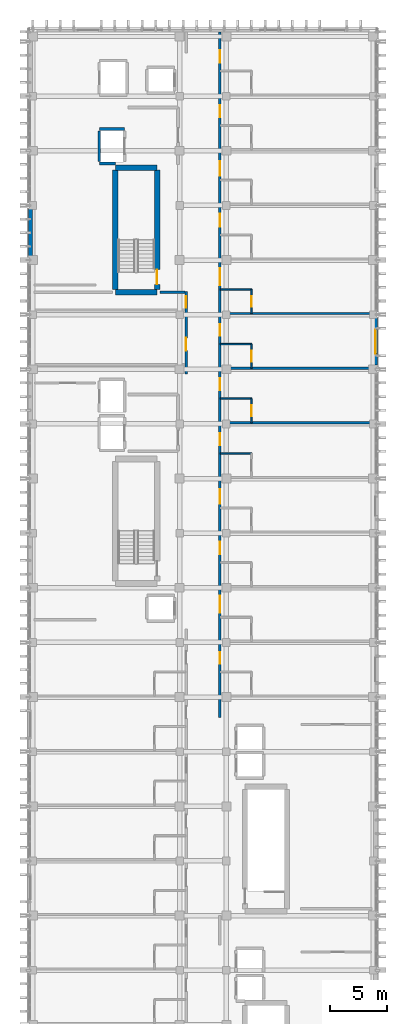
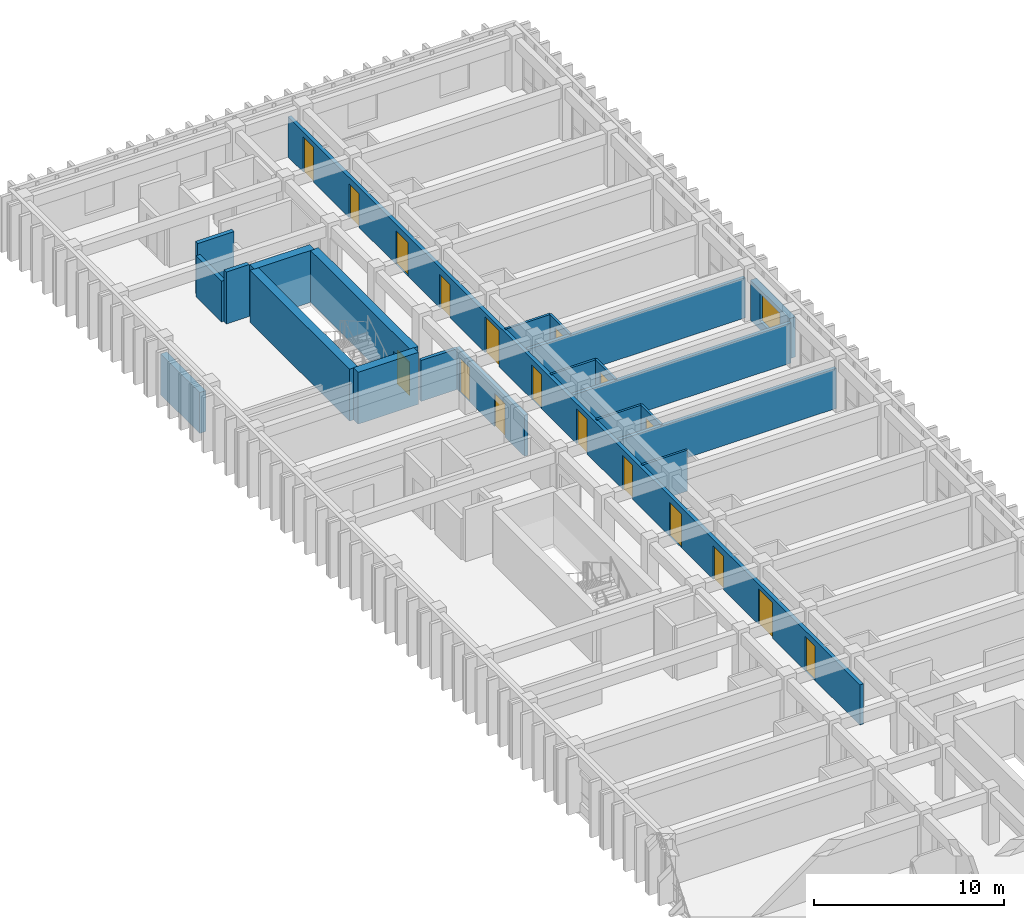
# One storey, part 58 of 68: 22 walls, 18 doors, 1 window, 19 openings.
"""IFC4 building model written with IfcOpenShell, lengths in metres."""

from ifc_helpers import new_model, si_unit, direction, frame, frame_2d, origin, place, context, subcontext, project, spatial, rectangle, extrude, material, layer, layer_set, type_object, element, fill, save


model = new_model("IFC4")

# Units and contexts
model_context = context("Model", 3, precision=1e-05, world=origin(), true_north=direction((0.0, 1.0)))
body_context = subcontext(model_context, "Body", "Model", "MODEL_VIEW")
ifc_project = project(units=[si_unit("LENGTHUNIT", "METRE"), si_unit("AREAUNIT", "SQUARE_METRE"), si_unit("VOLUMEUNIT", "CUBIC_METRE"), si_unit("PLANEANGLEUNIT", "RADIAN"), si_unit("MASSUNIT", "GRAM", prefix="KILO")], contexts=[model_context])

# Site, building, storey
site_placement = place(None, origin())
site = spatial("IfcSite", under=ifc_project, at=site_placement, CompositionType="ELEMENT")
building_placement = place(site_placement, origin())
building = spatial("IfcBuilding", under=site, at=building_placement, Name="Nakhvara Creek Congress Hotel", CompositionType="ELEMENT")
storey_placement = place(building_placement, frame((0.0, 0.0, 24.60009765625)))
storey = spatial("IfcBuildingStorey", under=building, at=storey_placement, Name="L05", CompositionType="ELEMENT", Elevation=24.60009765625)

# Walls
ifc_material_1 = material(Name="Concrete C50/60", Category="concrete")
ifc_layer_1 = layer(ifc_material_1, 0.5)
ifc_layer_set_1 = layer_set([ifc_layer_1], Name="Concrete C50/60")
wall_type_1 = type_object("IfcWallType", Name="W-CORE-500", PredefinedType="SHEAR", material=ifc_layer_set_1)
for number, where, z_axis, x_axis, name in (
    (1, (156.699951171875, 102.780029296875, 0.0), (0.0, 0.0, 1.0), (1.0, 0.0, 0.0), "Core Shear Wall WS01-CWALL-L05-0394"),
    (2, (156.699951171875, 113.719970703125, 0.0), (0.0, 0.0, 1.0), (1.0, 0.0, 0.0), "Core Shear Wall WS01-CWALL-L05-0395"),
):
    element("IfcWall", number, at=place(storey_placement, frame(where, z_axis=z_axis, x_axis=x_axis)), inside=storey, type_object=wall_type_1, Name=name, PredefinedType="SHEAR", context=body_context, shape_type="SweptSolid", body=[
        extrude(rectangle(XDim=3.670166015625, YDim=0.5, at=frame_2d((1.8349609375, 0.0))), origin(), (0.0, 0.0, 1.0), 3.33984375),
    ])
wall_1_placement = place(storey_placement, frame((156.699951171875, 103.0, 0.0), z_axis=(0.0, 0.0, 1.0), x_axis=(0.0, 1.0, 0.0)))
element("IfcWall", 3, at=wall_1_placement, inside=storey, type_object=wall_type_1, Name="Core Shear Wall WS01-CWALL-L05-0396", PredefinedType="SHEAR", context=body_context, shape_type="SweptSolid", body=[
    extrude(rectangle(XDim=10.5, YDim=0.5, at=frame_2d((5.25, 0.0))), origin(), (0.0, 0.0, 1.0), 3.33984375),
])

# Wall, opening, door
wall_2_placement = place(storey_placement, frame((160.3701171875, 103.0, 0.0), z_axis=(0.0, 0.0, 1.0), x_axis=(0.0, 1.0, 0.0)))
wall_2 = element("IfcWall", 4, at=wall_2_placement, inside=storey, type_object=wall_type_1, Name="Core Shear Wall WS01-CWALL-L05-0397", PredefinedType="SHEAR", context=body_context, shape_type="SweptSolid", body=[
    extrude(rectangle(XDim=10.5, YDim=0.5, at=frame_2d((5.25, 0.0))), origin(), (0.0, 0.0, 1.0), 3.33984375),
])
opening_1_placement = place(wall_2_placement, frame((0.449951171875, 0.0, 0.0)))
opening_1 = element("IfcOpeningElement", 5, at=opening_1_placement, cuts=wall_2, Name="Opening FD04", PredefinedType="OPENING", context=body_context, shape_type="SweptSolid", body=[
    extrude(rectangle(XDim=1.300048828125, YDim=2.14990234375, at=frame_2d((0.64990234375, 1.074951171875))), frame((0.0, 0.261962890625, 0.0), z_axis=(0.0, -1.0, 0.0), x_axis=(1.0, 0.0, 0.0)), (0.0, 0.0, 1.0), 0.52392578125),
])
ifc_material_2 = material(Name="Powder-coated steel fire door", Category="steel")
door_type_1 = type_object("IfcDoorType", Name="DT-STAIR-130", OperationType="NOTDEFINED", PredefinedType="DOOR", material=ifc_material_2)
door_1_placement = place(opening_1_placement, frame((1.300048828125, 0.0, 0.0), z_axis=(0.0, 0.0, 1.0), x_axis=(-1.0, 0.0, 0.0)))
door_1 = element("IfcDoor", 6, at=door_1_placement, inside=storey, type_object=door_type_1, Name="Stair Exit Door ST02-L05", OperationType="SINGLE_SWING_LEFT", OverallHeight=2.14990234375, OverallWidth=1.300048828125, PredefinedType="DOOR", context=body_context, shape_type="SweptSolid", body=[
    extrude(rectangle(XDim=1.300048828125, YDim=2.14990234375, at=frame_2d((0.64990234375, 1.074951171875))), frame((0.0, 0.02490234375, 0.0), z_axis=(0.0, -1.0, 0.0), x_axis=(1.0, 0.0, 0.0)), (0.0, 0.0, 1.0), 0.050048828125),
])
fill(opening_1, door_1)

# Wall, openings, doors
ifc_material_3 = material(Name="Gypsum acoustic board on steel stud", Category="steel")
ifc_layer_2 = layer(ifc_material_3, 0.219970703125)
ifc_layer_set_2 = layer_set([ifc_layer_2], Name="Gypsum acoustic board on steel stud")
wall_type_2 = type_object("IfcWallType", Name="W-CORR-220", PredefinedType="PARTITIONING", material=ifc_layer_set_2)
wall_3_placement = place(storey_placement, frame((162.919921875, 95.60009765625, 0.0), z_axis=(0.0, 0.0, 1.0), x_axis=(0.0, 1.0, 0.0)))
wall_3 = element("IfcWall", 7, at=wall_3_placement, inside=storey, type_object=wall_type_2, Name="Interior Wall WP11-IW-L05-0368", PredefinedType="PARTITIONING", context=body_context, shape_type="SweptSolid", body=[
    extrude(rectangle(XDim=7.219970703125, YDim=0.219970703125, at=frame_2d((3.60986328125, 0.0))), origin(), (0.0, 0.0, 1.0), 2.6318359375),
])
opening_2_placement = place(wall_3_placement, frame((2.050048828125, 0.0, 0.0)))
opening_2 = element("IfcOpeningElement", 8, at=opening_2_placement, cuts=wall_3, Name="Opening BD01", PredefinedType="OPENING", context=body_context, shape_type="SweptSolid", body=[
    extrude(rectangle(XDim=1.1201171875, YDim=2.14990234375, at=frame_2d((0.56005859375, 1.074951171875))), frame((0.0, 0.1220703125, 0.0), z_axis=(0.0, -1.0, 0.0), x_axis=(1.0, 0.0, 0.0)), (0.0, 0.0, 1.0), 0.243896484375),
])
opening_3_placement = place(wall_3_placement, frame((5.800048828125, 0.0, 0.0)))
opening_3 = element("IfcOpeningElement", 9, at=opening_3_placement, cuts=wall_3, Name="Opening GD01", PredefinedType="OPENING", context=body_context, shape_type="SweptSolid", body=[
    extrude(rectangle(XDim=1.02001953125, YDim=2.199951171875, at=frame_2d((0.510009765625, 1.10009765625))), frame((0.0, 0.1220703125, 0.0), z_axis=(0.0, -1.0, 0.0), x_axis=(1.0, 0.0, 0.0)), (0.0, 0.0, 1.0), 0.243896484375),
])
ifc_material_4 = material(Name="Walnut hardwood timber fire door", Category="wood")
door_type_2 = type_object("IfcDoorType", Name="DT-GUEST-102", OperationType="NOTDEFINED", PredefinedType="DOOR", material=ifc_material_4)
door_2_placement = place(opening_3_placement, frame((1.02001953125, 0.0, 0.0), z_axis=(0.0, 0.0, 1.0), x_axis=(-1.0, 0.0, 0.0)))
door_2 = element("IfcDoor", 10, at=door_2_placement, inside=storey, type_object=door_type_2, Name="Interior Door GD01-0304", OperationType="SINGLE_SWING_LEFT", OverallHeight=2.199951171875, OverallWidth=1.02001953125, PredefinedType="DOOR", context=body_context, shape_type="SweptSolid", body=[
    extrude(rectangle(XDim=1.02001953125, YDim=2.199951171875, at=frame_2d((0.510009765625, 1.10009765625))), frame((0.0, 0.02490234375, 0.0), z_axis=(0.0, -1.0, 0.0), x_axis=(1.0, 0.0, 0.0)), (0.0, 0.0, 1.0), 0.050048828125),
])
fill(opening_3, door_2)
ifc_material_5 = material(Name="Hardwood-faced service fire door", Category="wood")
door_type_3 = type_object("IfcDoorType", Name="DT-HK-112", OperationType="NOTDEFINED", PredefinedType="DOOR", material=ifc_material_5)
door_3_placement = place(opening_2_placement, frame((1.1201171875, 0.0, 0.0), z_axis=(0.0, 0.0, 1.0), x_axis=(-1.0, 0.0, 0.0)))
door_3 = element("IfcDoor", 11, at=door_3_placement, inside=storey, type_object=door_type_3, Name="Interior Door BD01-0303", OperationType="SINGLE_SWING_RIGHT", OverallHeight=2.14990234375, OverallWidth=1.1201171875, PredefinedType="DOOR", context=body_context, shape_type="SweptSolid", body=[
    extrude(rectangle(XDim=1.1201171875, YDim=2.14990234375, at=frame_2d((0.56005859375, 1.074951171875))), frame((0.0, 0.02490234375, 0.0), z_axis=(0.0, -1.0, 0.0), x_axis=(1.0, 0.0, 0.0)), (0.0, 0.0, 1.0), 0.050048828125),
])
fill(opening_2, door_3)

wall_4_placement = place(storey_placement, frame((165.8798828125, 65.39990234375, 0.0), z_axis=(0.0, 0.0, 1.0), x_axis=(0.0, 1.0, 0.0)))
wall_4 = element("IfcWall", 12, at=wall_4_placement, inside=storey, type_object=wall_type_2, Name="Interior Wall WP11-IW-L05-0371", PredefinedType="PARTITIONING", context=body_context, shape_type="SweptSolid", body=[
    extrude(rectangle(XDim=60.25, YDim=0.219970703125, at=frame_2d((30.125, 0.0))), origin(), (0.0, 0.0, 1.0), 2.581787109375),
])
opening_4_placement = place(wall_4_placement, frame((4.738037109375, 0.0, 0.0)))
opening_4 = element("IfcOpeningElement", 13, at=opening_4_placement, cuts=wall_4, Name="Opening GD01", PredefinedType="OPENING", context=body_context, shape_type="SweptSolid", body=[
    extrude(rectangle(XDim=1.02001953125, YDim=2.199951171875, at=frame_2d((0.510009765625, 1.10009765625))), frame((0.0, 0.1220703125, 0.0), z_axis=(0.0, -1.0, 0.0), x_axis=(1.0, 0.0, 0.0)), (0.0, 0.0, 1.0), 0.243896484375),
])
opening_5_placement = place(wall_4_placement, frame((9.18798828125, 0.0, 0.0)))
opening_5 = element("IfcOpeningElement", 14, at=opening_5_placement, cuts=wall_4, Name="Opening GD03", PredefinedType="OPENING", context=body_context, shape_type="SweptSolid", body=[
    extrude(rectangle(XDim=1.5, YDim=2.300048828125, at=frame_2d((0.75, 1.14990234375))), frame((0.0, 0.1220703125, 0.0), z_axis=(0.0, -1.0, 0.0), x_axis=(1.0, 0.0, 0.0)), (0.0, 0.0, 1.0), 0.243896484375),
])
opening_6_placement = place(wall_4_placement, frame((14.337890625, 0.0, 0.0)))
opening_6 = element("IfcOpeningElement", 15, at=opening_6_placement, cuts=wall_4, Name="Opening BD01", PredefinedType="OPENING", context=body_context, shape_type="SweptSolid", body=[
    extrude(rectangle(XDim=1.1201171875, YDim=2.14990234375, at=frame_2d((0.56005859375, 1.074951171875))), frame((0.0, 0.1220703125, 0.0), z_axis=(0.0, -1.0, 0.0), x_axis=(1.0, 0.0, 0.0)), (0.0, 0.0, 1.0), 0.243896484375),
])
opening_7_placement = place(wall_4_placement, frame((18.7880859375, 0.0, 0.0)))
opening_7 = element("IfcOpeningElement", 16, at=opening_7_placement, cuts=wall_4, Name="Opening ID07", PredefinedType="OPENING", context=body_context, shape_type="SweptSolid", body=[
    extrude(rectangle(XDim=1.280029296875, YDim=2.159912109375, at=frame_2d((0.64013671875, 1.080078125))), frame((0.0, 0.1220703125, 0.0), z_axis=(0.0, -1.0, 0.0), x_axis=(1.0, 0.0, 0.0)), (0.0, 0.0, 1.0), 0.243896484375),
])
opening_8_placement = place(wall_4_placement, frame((23.93798828125, 0.0, 0.0)))
opening_8 = element("IfcOpeningElement", 17, at=opening_8_placement, cuts=wall_4, Name="Opening ID04", PredefinedType="OPENING", context=body_context, shape_type="SweptSolid", body=[
    extrude(rectangle(XDim=1.050048828125, YDim=2.179931640625, at=frame_2d((0.52490234375, 1.08984375))), frame((0.0, 0.1220703125, 0.0), z_axis=(0.0, -1.0, 0.0), x_axis=(1.0, 0.0, 0.0)), (0.0, 0.0, 1.0), 0.243896484375),
])
opening_9_placement = place(wall_4_placement, frame((28.738037109375, 0.0, 0.0)))
opening_9 = element("IfcOpeningElement", 18, at=opening_9_placement, cuts=wall_4, Name="Opening GD02", PredefinedType="OPENING", context=body_context, shape_type="SweptSolid", body=[
    extrude(rectangle(XDim=1.080078125, YDim=2.25, at=frame_2d((0.5400390625, 1.125))), frame((0.0, 0.1220703125, 0.0), z_axis=(0.0, -1.0, 0.0), x_axis=(1.0, 0.0, 0.0)), (0.0, 0.0, 1.0), 0.243896484375),
])
opening_10_placement = place(wall_4_placement, frame((33.5380859375, 0.0, 0.0)))
opening_10 = element("IfcOpeningElement", 19, at=opening_10_placement, cuts=wall_4, Name="Opening GD01", PredefinedType="OPENING", context=body_context, shape_type="SweptSolid", body=[
    extrude(rectangle(XDim=1.02001953125, YDim=2.199951171875, at=frame_2d((0.510009765625, 1.10009765625))), frame((0.0, 0.1220703125, 0.0), z_axis=(0.0, -1.0, 0.0), x_axis=(1.0, 0.0, 0.0)), (0.0, 0.0, 1.0), 0.243896484375),
])
opening_11_placement = place(wall_4_placement, frame((37.988037109375, 0.0, 0.0)))
opening_11 = element("IfcOpeningElement", 20, at=opening_11_placement, cuts=wall_4, Name="Opening GD03", PredefinedType="OPENING", context=body_context, shape_type="SweptSolid", body=[
    extrude(rectangle(XDim=1.5, YDim=2.300048828125, at=frame_2d((0.75, 1.14990234375))), frame((0.0, 0.1220703125, 0.0), z_axis=(0.0, -1.0, 0.0), x_axis=(1.0, 0.0, 0.0)), (0.0, 0.0, 1.0), 0.243896484375),
])
opening_12_placement = place(wall_4_placement, frame((43.137939453125, 0.0, 0.0)))
opening_12 = element("IfcOpeningElement", 21, at=opening_12_placement, cuts=wall_4, Name="Opening BD01", PredefinedType="OPENING", context=body_context, shape_type="SweptSolid", body=[
    extrude(rectangle(XDim=1.1201171875, YDim=2.14990234375, at=frame_2d((0.56005859375, 1.074951171875))), frame((0.0, 0.1220703125, 0.0), z_axis=(0.0, -1.0, 0.0), x_axis=(1.0, 0.0, 0.0)), (0.0, 0.0, 1.0), 0.243896484375),
])
opening_13_placement = place(wall_4_placement, frame((47.587890625, 0.0, 0.0)))
opening_13 = element("IfcOpeningElement", 22, at=opening_13_placement, cuts=wall_4, Name="Opening ID07", PredefinedType="OPENING", context=body_context, shape_type="SweptSolid", body=[
    extrude(rectangle(XDim=1.280029296875, YDim=2.159912109375, at=frame_2d((0.64013671875, 1.080078125))), frame((0.0, 0.1220703125, 0.0), z_axis=(0.0, -1.0, 0.0), x_axis=(1.0, 0.0, 0.0)), (0.0, 0.0, 1.0), 0.243896484375),
])
opening_14_placement = place(wall_4_placement, frame((52.738037109375, 0.0, 0.0)))
opening_14 = element("IfcOpeningElement", 23, at=opening_14_placement, cuts=wall_4, Name="Opening ID04", PredefinedType="OPENING", context=body_context, shape_type="SweptSolid", body=[
    extrude(rectangle(XDim=1.050048828125, YDim=2.179931640625, at=frame_2d((0.52490234375, 1.08984375))), frame((0.0, 0.1220703125, 0.0), z_axis=(0.0, -1.0, 0.0), x_axis=(1.0, 0.0, 0.0)), (0.0, 0.0, 1.0), 0.243896484375),
])
opening_15_placement = place(wall_4_placement, frame((57.5380859375, 0.0, 0.0)))
opening_15 = element("IfcOpeningElement", 24, at=opening_15_placement, cuts=wall_4, Name="Opening GD02", PredefinedType="OPENING", context=body_context, shape_type="SweptSolid", body=[
    extrude(rectangle(XDim=1.080078125, YDim=2.25, at=frame_2d((0.5400390625, 1.125))), frame((0.0, 0.1220703125, 0.0), z_axis=(0.0, -1.0, 0.0), x_axis=(1.0, 0.0, 0.0)), (0.0, 0.0, 1.0), 0.243896484375),
])
ifc_material_6 = material(Name="Brushed stainless-clad BOH door")
door_type_4 = type_object("IfcDoorType", Name="DT-BOH-128", OperationType="NOTDEFINED", PredefinedType="DOOR", material=ifc_material_6)
door_4_placement = place(opening_7_placement, origin())
door_4 = element("IfcDoor", 25, at=door_4_placement, inside=storey, type_object=door_type_4, Name="Interior Door ID07-0328", OperationType="SINGLE_SWING_LEFT", OverallHeight=2.159912109375, OverallWidth=1.280029296875, PredefinedType="DOOR", context=body_context, shape_type="SweptSolid", body=[
    extrude(rectangle(XDim=1.280029296875, YDim=2.159912109375, at=frame_2d((0.64013671875, 1.080078125))), frame((0.0, 0.02490234375, 0.0), z_axis=(0.0, -1.0, 0.0), x_axis=(1.0, 0.0, 0.0)), (0.0, 0.0, 1.0), 0.050048828125),
])
fill(opening_7, door_4)
door_5_placement = place(opening_13_placement, origin())
door_5 = element("IfcDoor", 26, at=door_5_placement, inside=storey, type_object=door_type_4, Name="Interior Door ID07-0340", OperationType="SINGLE_SWING_LEFT", OverallHeight=2.159912109375, OverallWidth=1.280029296875, PredefinedType="DOOR", context=body_context, shape_type="SweptSolid", body=[
    extrude(rectangle(XDim=1.280029296875, YDim=2.159912109375, at=frame_2d((0.64013671875, 1.080078125))), frame((0.0, 0.02490234375, 0.0), z_axis=(0.0, -1.0, 0.0), x_axis=(1.0, 0.0, 0.0)), (0.0, 0.0, 1.0), 0.050048828125),
])
fill(opening_13, door_5)
door_6_placement = place(opening_4_placement, origin())
door_6 = element("IfcDoor", 27, at=door_6_placement, inside=storey, type_object=door_type_2, Name="Interior Door GD01-0322", OperationType="SINGLE_SWING_LEFT", OverallHeight=2.199951171875, OverallWidth=1.02001953125, PredefinedType="DOOR", context=body_context, shape_type="SweptSolid", body=[
    extrude(rectangle(XDim=1.02001953125, YDim=2.199951171875, at=frame_2d((0.510009765625, 1.10009765625))), frame((0.0, 0.02490234375, 0.0), z_axis=(0.0, -1.0, 0.0), x_axis=(1.0, 0.0, 0.0)), (0.0, 0.0, 1.0), 0.050048828125),
])
fill(opening_4, door_6)
door_7_placement = place(opening_10_placement, origin())
door_7 = element("IfcDoor", 28, at=door_7_placement, inside=storey, type_object=door_type_2, Name="Interior Door GD01-0334", OperationType="SINGLE_SWING_LEFT", OverallHeight=2.199951171875, OverallWidth=1.02001953125, PredefinedType="DOOR", context=body_context, shape_type="SweptSolid", body=[
    extrude(rectangle(XDim=1.02001953125, YDim=2.199951171875, at=frame_2d((0.510009765625, 1.10009765625))), frame((0.0, 0.02490234375, 0.0), z_axis=(0.0, -1.0, 0.0), x_axis=(1.0, 0.0, 0.0)), (0.0, 0.0, 1.0), 0.050048828125),
])
fill(opening_10, door_7)
door_type_5 = type_object("IfcDoorType", Name="DT-GUEST-108", OperationType="NOTDEFINED", PredefinedType="DOOR", material=ifc_material_4)
door_8_placement = place(opening_9_placement, origin())
door_8 = element("IfcDoor", 29, at=door_8_placement, inside=storey, type_object=door_type_5, Name="Interior Door GD02-0332", OperationType="SINGLE_SWING_LEFT", OverallHeight=2.25, OverallWidth=1.080078125, PredefinedType="DOOR", context=body_context, shape_type="SweptSolid", body=[
    extrude(rectangle(XDim=1.080078125, YDim=2.25, at=frame_2d((0.5400390625, 1.125))), frame((0.0, 0.02490234375, 0.0), z_axis=(0.0, -1.0, 0.0), x_axis=(1.0, 0.0, 0.0)), (0.0, 0.0, 1.0), 0.050048828125),
])
fill(opening_9, door_8)
door_9_placement = place(opening_15_placement, origin())
door_9 = element("IfcDoor", 30, at=door_9_placement, inside=storey, type_object=door_type_5, Name="Interior Door GD02-0344", OperationType="SINGLE_SWING_LEFT", OverallHeight=2.25, OverallWidth=1.080078125, PredefinedType="DOOR", context=body_context, shape_type="SweptSolid", body=[
    extrude(rectangle(XDim=1.080078125, YDim=2.25, at=frame_2d((0.5400390625, 1.125))), frame((0.0, 0.02490234375, 0.0), z_axis=(0.0, -1.0, 0.0), x_axis=(1.0, 0.0, 0.0)), (0.0, 0.0, 1.0), 0.050048828125),
])
fill(opening_15, door_9)
door_10_placement = place(opening_6_placement, origin())
door_10 = element("IfcDoor", 31, at=door_10_placement, inside=storey, type_object=door_type_3, Name="Interior Door BD01-0326", OperationType="SINGLE_SWING_LEFT", OverallHeight=2.14990234375, OverallWidth=1.1201171875, PredefinedType="DOOR", context=body_context, shape_type="SweptSolid", body=[
    extrude(rectangle(XDim=1.1201171875, YDim=2.14990234375, at=frame_2d((0.56005859375, 1.074951171875))), frame((0.0, 0.02490234375, 0.0), z_axis=(0.0, -1.0, 0.0), x_axis=(1.0, 0.0, 0.0)), (0.0, 0.0, 1.0), 0.050048828125),
])
fill(opening_6, door_10)
door_11_placement = place(opening_12_placement, origin())
door_11 = element("IfcDoor", 32, at=door_11_placement, inside=storey, type_object=door_type_3, Name="Interior Door BD01-0338", OperationType="SINGLE_SWING_LEFT", OverallHeight=2.14990234375, OverallWidth=1.1201171875, PredefinedType="DOOR", context=body_context, shape_type="SweptSolid", body=[
    extrude(rectangle(XDim=1.1201171875, YDim=2.14990234375, at=frame_2d((0.56005859375, 1.074951171875))), frame((0.0, 0.02490234375, 0.0), z_axis=(0.0, -1.0, 0.0), x_axis=(1.0, 0.0, 0.0)), (0.0, 0.0, 1.0), 0.050048828125),
])
fill(opening_12, door_11)
ifc_material_7 = material(Name="Teak timber & frosted glass spa door", Category="wood")
door_type_6 = type_object("IfcDoorType", Name="DT-SPA-105", OperationType="NOTDEFINED", PredefinedType="DOOR", material=ifc_material_7)
door_12_placement = place(opening_8_placement, origin())
door_12 = element("IfcDoor", 33, at=door_12_placement, inside=storey, type_object=door_type_6, Name="Interior Door ID04-0330", OperationType="SINGLE_SWING_LEFT", OverallHeight=2.179931640625, OverallWidth=1.050048828125, PredefinedType="DOOR", context=body_context, shape_type="SweptSolid", body=[
    extrude(rectangle(XDim=1.050048828125, YDim=2.179931640625, at=frame_2d((0.52490234375, 1.08984375))), frame((0.0, 0.02490234375, 0.0), z_axis=(0.0, -1.0, 0.0), x_axis=(1.0, 0.0, 0.0)), (0.0, 0.0, 1.0), 0.050048828125),
])
fill(opening_8, door_12)
door_13_placement = place(opening_14_placement, origin())
door_13 = element("IfcDoor", 34, at=door_13_placement, inside=storey, type_object=door_type_6, Name="Interior Door ID04-0342", OperationType="SINGLE_SWING_LEFT", OverallHeight=2.179931640625, OverallWidth=1.050048828125, PredefinedType="DOOR", context=body_context, shape_type="SweptSolid", body=[
    extrude(rectangle(XDim=1.050048828125, YDim=2.179931640625, at=frame_2d((0.52490234375, 1.08984375))), frame((0.0, 0.02490234375, 0.0), z_axis=(0.0, -1.0, 0.0), x_axis=(1.0, 0.0, 0.0)), (0.0, 0.0, 1.0), 0.050048828125),
])
fill(opening_14, door_13)
ifc_material_8 = material(Name="Walnut hardwood double fire door", Category="wood")
door_type_7 = type_object("IfcDoorType", Name="DT-SUITE-150", OperationType="DOUBLE_DOOR_SINGLE_SWING", PredefinedType="DOOR", material=ifc_material_8)
door_14_placement = place(opening_5_placement, origin())
door_14 = element("IfcDoor", 35, at=door_14_placement, inside=storey, type_object=door_type_7, Name="Interior Door GD03-0324", OperationType="DOUBLE_DOOR_SINGLE_SWING", OverallHeight=2.300048828125, OverallWidth=1.5, PredefinedType="DOOR", context=body_context, shape_type="SweptSolid", body=[
    extrude(rectangle(XDim=1.5, YDim=2.300048828125, at=frame_2d((0.75, 1.14990234375))), frame((0.0, 0.02490234375, 0.0), z_axis=(0.0, -1.0, 0.0), x_axis=(1.0, 0.0, 0.0)), (0.0, 0.0, 1.0), 0.050048828125),
])
fill(opening_5, door_14)
door_15_placement = place(opening_11_placement, origin())
door_15 = element("IfcDoor", 36, at=door_15_placement, inside=storey, type_object=door_type_7, Name="Interior Door GD03-0336", OperationType="DOUBLE_DOOR_SINGLE_SWING", OverallHeight=2.300048828125, OverallWidth=1.5, PredefinedType="DOOR", context=body_context, shape_type="SweptSolid", body=[
    extrude(rectangle(XDim=1.5, YDim=2.300048828125, at=frame_2d((0.75, 1.14990234375))), frame((0.0, 0.02490234375, 0.0), z_axis=(0.0, -1.0, 0.0), x_axis=(1.0, 0.0, 0.0)), (0.0, 0.0, 1.0), 0.050048828125),
])
fill(opening_11, door_15)

# Wall
ifc_material_9 = material(Name="Moisture-resistant gypsum board partition")
ifc_layer_3 = layer(ifc_material_9, 0.139892578125)
ifc_layer_set_3 = layer_set([ifc_layer_3], Name="Moisture-resistant gypsum board partition")
wall_type_3 = type_object("IfcWallType", Name="W-ENS-140", PredefinedType="PARTITIONING", material=ifc_layer_set_3)
wall_5_placement = place(storey_placement, frame((165.919921875, 88.615966796875, 0.0), z_axis=(0.0, 0.0, 1.0), x_axis=(1.0, 0.0, 0.0)))
element("IfcWall", 37, at=wall_5_placement, inside=storey, type_object=wall_type_3, Name="Interior Wall WP15-IW-L05-0417", PredefinedType="PARTITIONING", context=body_context, shape_type="SweptSolid", body=[
    extrude(rectangle(XDim=2.75, YDim=0.139892578125, at=frame_2d((1.375, 0.0))), origin(), (0.0, 0.0, 1.0), 2.6318359375),
])

# Wall, opening, door
wall_6_placement = place(storey_placement, frame((168.669921875, 91.300048828125, 0.0), z_axis=(0.0, 0.0, 1.0), x_axis=(0.0, 1.0, 0.0)))
wall_6 = element("IfcWall", 38, at=wall_6_placement, inside=storey, type_object=wall_type_3, Name="Interior Wall WP15-IW-L05-0419", PredefinedType="PARTITIONING", context=body_context, shape_type="SweptSolid", body=[
    extrude(rectangle(XDim=2.115966796875, YDim=0.139892578125, at=frame_2d((1.05810546875, 0.0))), origin(), (0.0, 0.0, 1.0), 2.6318359375),
])
opening_16_placement = place(wall_6_placement, frame((0.5830078125, 0.0, 0.0)))
opening_16 = element("IfcOpeningElement", 39, at=opening_16_placement, cuts=wall_6, Name="Opening ID02", PredefinedType="OPENING", context=body_context, shape_type="SweptSolid", body=[
    extrude(rectangle(XDim=0.9599609375, YDim=2.1201171875, at=frame_2d((0.47998046875, 1.06005859375))), frame((0.0, 0.08203125, 0.0), z_axis=(0.0, -1.0, 0.0), x_axis=(1.0, 0.0, 0.0)), (0.0, 0.0, 1.0), 0.163818359375),
])
ifc_material_10 = material(Name="Moisture-resistant walnut timber door", Category="wood")
door_type_8 = type_object("IfcDoorType", Name="DT-ENS-096", OperationType="NOTDEFINED", PredefinedType="DOOR", material=ifc_material_10)
door_16_placement = place(opening_16_placement, frame((0.9599609375, 0.0, 0.0), z_axis=(0.0, 0.0, 1.0), x_axis=(-1.0, 0.0, 0.0)))
door_16 = element("IfcDoor", 40, at=door_16_placement, inside=storey, type_object=door_type_8, Name="Interior Door ID02-0333", OperationType="SINGLE_SWING_RIGHT", OverallHeight=2.1201171875, OverallWidth=0.9599609375, PredefinedType="DOOR", context=body_context, shape_type="SweptSolid", body=[
    extrude(rectangle(XDim=0.9599609375, YDim=2.1201171875, at=frame_2d((0.47998046875, 1.06005859375))), frame((0.0, 0.02490234375, 0.0), z_axis=(0.0, -1.0, 0.0), x_axis=(1.0, 0.0, 0.0)), (0.0, 0.0, 1.0), 0.050048828125),
])
fill(opening_16, door_16)

# Wall
wall_7_placement = place(storey_placement, frame((165.919921875, 93.416015625, 0.0), z_axis=(0.0, 0.0, 1.0), x_axis=(1.0, 0.0, 0.0)))
element("IfcWall", 41, at=wall_7_placement, inside=storey, type_object=wall_type_3, Name="Interior Wall WP15-IW-L05-0420", PredefinedType="PARTITIONING", context=body_context, shape_type="SweptSolid", body=[
    extrude(rectangle(XDim=2.75, YDim=0.139892578125, at=frame_2d((1.375, 0.0))), origin(), (0.0, 0.0, 1.0), 2.6318359375),
])

# Wall, opening, door
wall_8_placement = place(storey_placement, frame((168.669921875, 96.10009765625, 0.0), z_axis=(0.0, 0.0, 1.0), x_axis=(0.0, 1.0, 0.0)))
wall_8 = element("IfcWall", 42, at=wall_8_placement, inside=storey, type_object=wall_type_3, Name="Interior Wall WP15-IW-L05-0422", PredefinedType="PARTITIONING", context=body_context, shape_type="SweptSolid", body=[
    extrude(rectangle(XDim=2.115966796875, YDim=0.139892578125, at=frame_2d((1.05810546875, 0.0))), origin(), (0.0, 0.0, 1.0), 2.6318359375),
])
opening_17_placement = place(wall_8_placement, frame((0.5830078125, 0.0, 0.0)))
opening_17 = element("IfcOpeningElement", 43, at=opening_17_placement, cuts=wall_8, Name="Opening ID02", PredefinedType="OPENING", context=body_context, shape_type="SweptSolid", body=[
    extrude(rectangle(XDim=0.9599609375, YDim=2.1201171875, at=frame_2d((0.47998046875, 1.06005859375))), frame((0.0, 0.08203125, 0.0), z_axis=(0.0, -1.0, 0.0), x_axis=(1.0, 0.0, 0.0)), (0.0, 0.0, 1.0), 0.163818359375),
])
door_17_placement = place(opening_17_placement, frame((0.9599609375, 0.0, 0.0), z_axis=(0.0, 0.0, 1.0), x_axis=(-1.0, 0.0, 0.0)))
door_17 = element("IfcDoor", 44, at=door_17_placement, inside=storey, type_object=door_type_8, Name="Interior Door ID02-0335", OperationType="SINGLE_SWING_RIGHT", OverallHeight=2.1201171875, OverallWidth=0.9599609375, PredefinedType="DOOR", context=body_context, shape_type="SweptSolid", body=[
    extrude(rectangle(XDim=0.9599609375, YDim=2.1201171875, at=frame_2d((0.47998046875, 1.06005859375))), frame((0.0, 0.02490234375, 0.0), z_axis=(0.0, -1.0, 0.0), x_axis=(1.0, 0.0, 0.0)), (0.0, 0.0, 1.0), 0.050048828125),
])
fill(opening_17, door_17)

# Wall
wall_9_placement = place(storey_placement, frame((165.919921875, 98.216064453125, 0.0), z_axis=(0.0, 0.0, 1.0), x_axis=(1.0, 0.0, 0.0)))
element("IfcWall", 45, at=wall_9_placement, inside=storey, type_object=wall_type_3, Name="Interior Wall WP15-IW-L05-0423", PredefinedType="PARTITIONING", context=body_context, shape_type="SweptSolid", body=[
    extrude(rectangle(XDim=2.75, YDim=0.139892578125, at=frame_2d((1.375, 0.0))), origin(), (0.0, 0.0, 1.0), 2.6318359375),
])

# Wall, opening, door
wall_10_placement = place(storey_placement, frame((168.669921875, 100.89990234375, 0.0), z_axis=(0.0, 0.0, 1.0), x_axis=(0.0, 1.0, 0.0)))
wall_10 = element("IfcWall", 46, at=wall_10_placement, inside=storey, type_object=wall_type_3, Name="Interior Wall WP15-IW-L05-0425", PredefinedType="PARTITIONING", context=body_context, shape_type="SweptSolid", body=[
    extrude(rectangle(XDim=2.1162109375, YDim=0.139892578125, at=frame_2d((1.05810546875, 0.0))), origin(), (0.0, 0.0, 1.0), 2.6318359375),
])
opening_18_placement = place(wall_10_placement, frame((0.5830078125, 0.0, 0.0)))
opening_18 = element("IfcOpeningElement", 47, at=opening_18_placement, cuts=wall_10, Name="Opening ID01", PredefinedType="OPENING", context=body_context, shape_type="SweptSolid", body=[
    extrude(rectangle(XDim=0.919921875, YDim=2.10009765625, at=frame_2d((0.4599609375, 1.050048828125))), frame((0.0, 0.08203125, 0.0), z_axis=(0.0, -1.0, 0.0), x_axis=(1.0, 0.0, 0.0)), (0.0, 0.0, 1.0), 0.163818359375),
])
door_type_9 = type_object("IfcDoorType", Name="DT-ENS-092", OperationType="NOTDEFINED", PredefinedType="DOOR", material=ifc_material_10)
door_18_placement = place(opening_18_placement, frame((0.919921875, 0.0, 0.0), z_axis=(0.0, 0.0, 1.0), x_axis=(-1.0, 0.0, 0.0)))
door_18 = element("IfcDoor", 48, at=door_18_placement, inside=storey, type_object=door_type_9, Name="Interior Door ID01-0337", OperationType="SINGLE_SWING_RIGHT", OverallHeight=2.10009765625, OverallWidth=0.919921875, PredefinedType="DOOR", context=body_context, shape_type="SweptSolid", body=[
    extrude(rectangle(XDim=0.919921875, YDim=2.10009765625, at=frame_2d((0.4599609375, 1.050048828125))), frame((0.0, 0.02490234375, 0.0), z_axis=(0.0, -1.0, 0.0), x_axis=(1.0, 0.0, 0.0)), (0.0, 0.0, 1.0), 0.050048828125),
])
fill(opening_18, door_18)

# Wall
wall_11_placement = place(storey_placement, frame((165.919921875, 103.01611328125, 0.0), z_axis=(0.0, 0.0, 1.0), x_axis=(1.0, 0.0, 0.0)))
element("IfcWall", 49, at=wall_11_placement, inside=storey, type_object=wall_type_3, Name="Interior Wall WP15-IW-L05-0426", PredefinedType="PARTITIONING", context=body_context, shape_type="SweptSolid", body=[
    extrude(rectangle(XDim=2.75, YDim=0.139892578125, at=frame_2d((1.375, 0.0))), origin(), (0.0, 0.0, 1.0), 2.6318359375),
])

# Wall, opening, window
ifc_material_11 = material(Name="Honed pale Omani limestone cladding", Category="masonry")
ifc_layer_4 = layer(ifc_material_11, 0.050048828125)
ifc_material_12 = material(Name="Mineral wool thermal insulation")
ifc_layer_5 = layer(ifc_material_12, 0.110107421875)
ifc_material_13 = material(Name="Precast concrete C40/50", Category="concrete")
ifc_layer_6 = layer(ifc_material_13, 0.219970703125)
ifc_layer_set_4 = layer_set([ifc_layer_4, ifc_layer_5, ifc_layer_6], Name="Precast concrete C40/50")
wall_type_4 = type_object("IfcWallType", Name="W-EXT-380", PredefinedType="SOLIDWALL", material=ifc_layer_set_4)
wall_12_placement = place(storey_placement, frame((179.56005859375, 100.485107421875, 0.0), z_axis=(0.0, 0.0, 1.0), x_axis=(0.0, -1.0, 0.0)))
wall_12 = element("IfcWall", 50, at=wall_12_placement, inside=storey, type_object=wall_type_4, Name="Exterior Wall WE03-EW-L05-0158", PredefinedType="SOLIDWALL", context=body_context, shape_type="SweptSolid", body=[
    extrude(rectangle(XDim=4.1201171875, YDim=0.3798828125, at=frame_2d((2.06005859375, 0.0))), origin(), (0.0, 0.0, 1.0), 2.581787109375),
])
opening_19_placement = place(wall_12_placement, frame((1.010009765625, 0.0, 0.550048828125)))
opening_19 = element("IfcOpeningElement", 51, at=opening_19_placement, cuts=wall_12, Name="Opening WN0168", PredefinedType="OPENING", context=body_context, shape_type="SweptSolid", body=[
    extrude(rectangle(XDim=2.10009765625, YDim=1.780029296875, at=frame_2d((1.050048828125, 0.89013671875))), frame((0.0, 0.201904296875, 0.0), z_axis=(0.0, -1.0, 0.0), x_axis=(1.0, 0.0, 0.0)), (0.0, 0.0, 1.0), 0.40380859375),
])
ifc_material_14 = material(Name="Thermally broken bronze-anodised aluminium and double-silver low-E insulated glass", Category="aluminium")
window_type = type_object("IfcWindowType", Name="WN-LAN-210X230", PartitioningType="SINGLE_PANEL", PredefinedType="WINDOW", material=ifc_material_14)
window_placement = place(opening_19_placement, origin())
window = element("IfcWindow", 52, at=window_placement, inside=storey, type_object=window_type, Name="Facade Window WN0168", OverallHeight=1.780029296875, OverallWidth=2.10009765625, PartitioningType="SINGLE_PANEL", PredefinedType="WINDOW", context=body_context, shape_type="SweptSolid", body=[
    extrude(rectangle(XDim=2.10009765625, YDim=1.780029296875, at=frame_2d((1.050048828125, 0.89013671875))), frame((0.0, 0.030029296875, 0.0), z_axis=(0.0, -1.0, 0.0), x_axis=(1.0, 0.0, 0.0)), (0.0, 0.0, 1.0), 0.06005859375),
])
fill(opening_19, window)

# Walls
wall_13_placement = place(storey_placement, frame((149.239990234375, 105.965087890625, 0.0), z_axis=(0.0, 0.0, 1.0), x_axis=(0.0, 1.0, 0.0)))
element("IfcWall", 53, at=wall_13_placement, inside=storey, type_object=wall_type_4, Name="Exterior Wall WE03-EW-L05-0159", PredefinedType="SOLIDWALL", context=body_context, shape_type="SweptSolid", body=[
    extrude(rectangle(XDim=4.119873046875, YDim=0.3798828125, at=frame_2d((2.06005859375, 0.0))), origin(), (0.0, 0.0, 1.0), 2.6318359375),
])
ifc_layer_7 = layer(ifc_material_3, 0.199951171875)
ifc_layer_set_5 = layer_set([ifc_layer_7], Name="Gypsum acoustic board on steel stud")
wall_type_5 = type_object("IfcWallType", Name="W-PART-200", PredefinedType="PARTITIONING", material=ifc_layer_set_5)
wall_14_placement = place(storey_placement, frame((160.6201171875, 102.780029296875, 0.0), z_axis=(0.0, 0.0, 1.0), x_axis=(1.0, 0.0, 0.0)))
element("IfcWall", 54, at=wall_14_placement, inside=storey, type_object=wall_type_5, Name="Interior Wall WP12-IW-L05-0375", PredefinedType="PARTITIONING", context=body_context, shape_type="SweptSolid", body=[
    extrude(rectangle(XDim=2.18994140625, YDim=0.199951171875, at=frame_2d((1.094970703125, 0.0))), origin(), (0.0, 0.0, 1.0), 2.6318359375),
])
for number, where, z_axis, x_axis, name in (
    (55, (166.02001953125, 91.300048828125, 0.0), (0.0, 0.0, 1.0), (1.0, 0.0, 0.0), "Interior Wall WP12-IW-L05-0418"),
    (56, (166.02001953125, 96.10009765625, 0.0), (0.0, 0.0, 1.0), (1.0, 0.0, 0.0), "Interior Wall WP12-IW-L05-0421"),
    (57, (166.02001953125, 100.89990234375, 0.0), (0.0, 0.0, 1.0), (1.0, 0.0, 0.0), "Interior Wall WP12-IW-L05-0424"),
):
    element("IfcWall", number, at=place(storey_placement, frame(where, z_axis=z_axis, x_axis=x_axis)), inside=storey, type_object=wall_type_5, Name=name, PredefinedType="PARTITIONING", context=body_context, shape_type="SweptSolid", body=[
        extrude(rectangle(XDim=13.22998046875, YDim=0.199951171875, at=frame_2d((6.614990234375, 0.0))), origin(), (0.0, 0.0, 1.0), 2.581787109375),
    ])
ifc_material_15 = material(Name="Concrete C40/50", Category="concrete")
ifc_layer_8 = layer(ifc_material_15, 0.25)
ifc_layer_set_6 = layer_set([ifc_layer_8], Name="Concrete C40/50")
wall_type_6 = type_object("IfcWallType", Name="W-SHAFT-250", PredefinedType="SOLIDWALL", material=ifc_layer_set_6)
wall_15_placement = place(storey_placement, frame((155.2900390625, 114.090087890625, 0.0), z_axis=(0.0, 0.0, 1.0), x_axis=(1.0, 0.0, 0.0)))
element("IfcWall", 58, at=wall_15_placement, inside=storey, type_object=wall_type_6, Name="Core Shear Wall WI02-CWALL-L05-0398", PredefinedType="SOLIDWALL", context=body_context, shape_type="SweptSolid", body=[
    extrude(rectangle(XDim=1.39990234375, YDim=0.25, at=frame_2d((0.699951171875, 0.0))), origin(), (0.0, 0.0, 1.0), 3.33984375),
])
wall_16_placement = place(storey_placement, frame((155.2900390625, 117.110107421875, 0.0), z_axis=(0.0, 0.0, 1.0), x_axis=(1.0, 0.0, 0.0)))
element("IfcWall", 59, at=wall_16_placement, inside=storey, type_object=wall_type_6, Name="Core Shear Wall WI02-CWALL-L05-0399", PredefinedType="SOLIDWALL", context=body_context, shape_type="SweptSolid", body=[
    extrude(rectangle(XDim=2.219970703125, YDim=0.25, at=frame_2d((1.10986328125, 0.0))), origin(), (0.0, 0.0, 1.0), 3.33984375),
])
wall_17_placement = place(storey_placement, frame((155.2900390625, 114.25, 0.0), z_axis=(0.0, 0.0, 1.0), x_axis=(0.0, 1.0, 0.0)))
element("IfcWall", 60, at=wall_17_placement, inside=storey, type_object=wall_type_6, Name="Core Shear Wall WI02-CWALL-L05-0400", PredefinedType="SOLIDWALL", context=body_context, shape_type="SweptSolid", body=[
    extrude(rectangle(XDim=2.699951171875, YDim=0.25, at=frame_2d((1.35009765625, 0.0))), origin(), (0.0, 0.0, 1.0), 2.6318359375),
])

save(model, "model.ifc")
